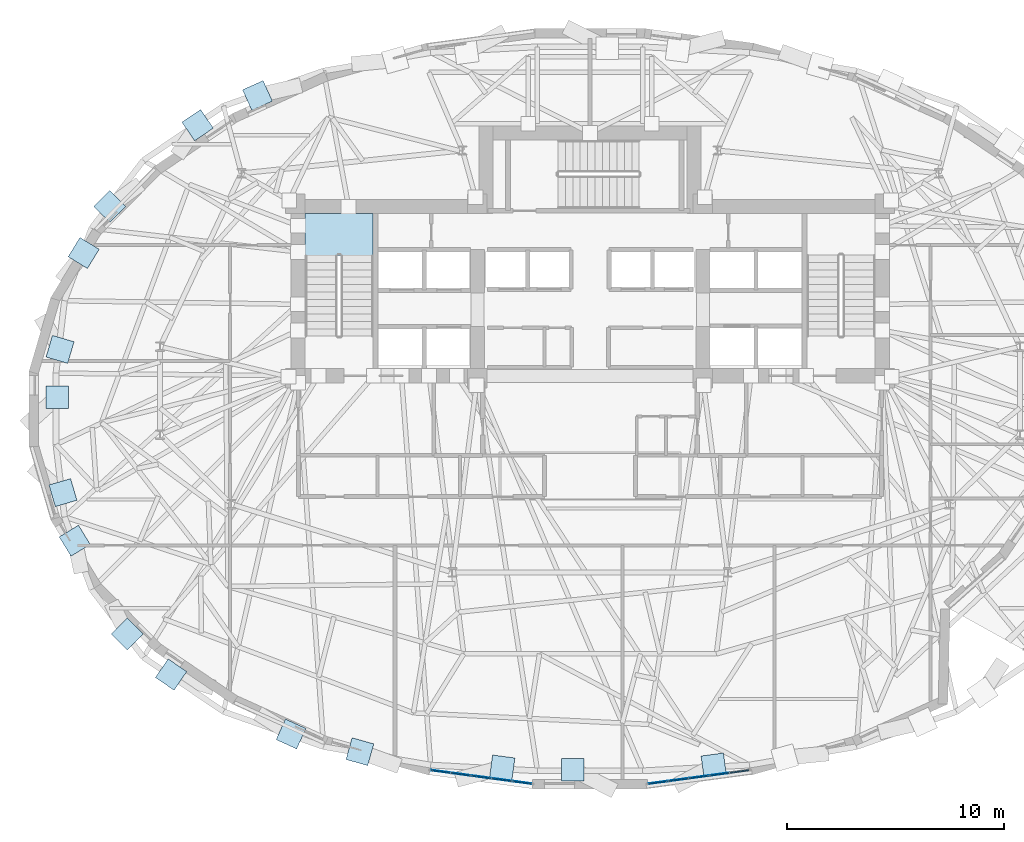
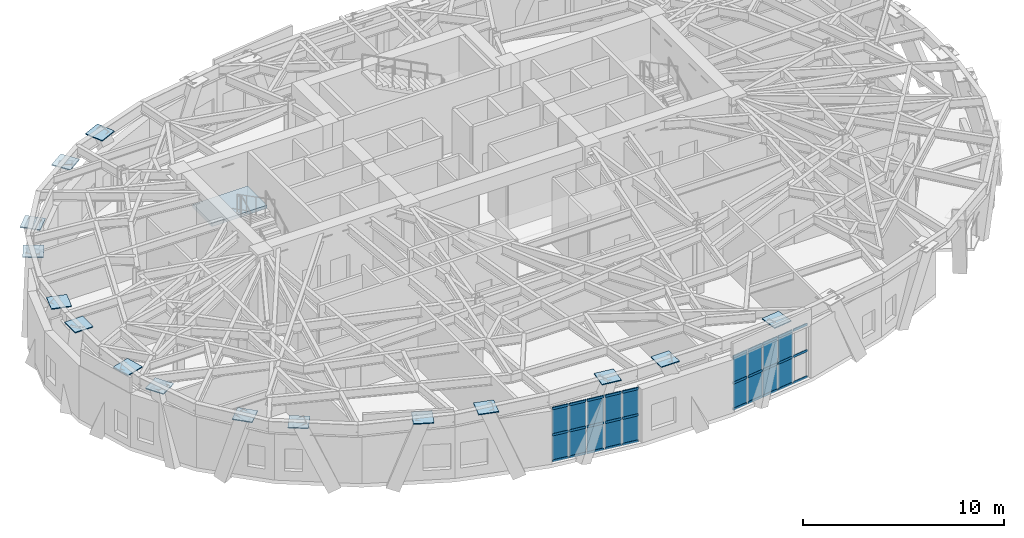
# One storey, part 6 of 16: 33 plates, 30 members, 1 slab, 3 elements without a shape of their own.
"""IFC4 building model written with IfcOpenShell, lengths in metres."""

import ifcopenshell
import ifcopenshell.guid

model = None  # the IFC model being written
_history = None  # IfcOwnerHistory: only IFC2X3 demands one
_inside = {}  # id of a spatial element -> (the spatial element, [elements in it])
_under = {}  # id of a project, library or spatial element -> (it, [spatial elements below it])
_declared = {}  # id of a project -> (the project, [libraries it declares])
_typed = {}  # id of a type object -> (the type object, [elements of that type])
_made_of = {}  # id of a material, layer set ... -> (it, [elements and type objects made of it])


def new_model(schema):
    """Start an empty IFC model of exactly this schema.

    Asked for "IFC4X3", IfcOpenShell would pick the latest addendum, in which some entities
    have other attributes; the version numbers below select the first issue.
    IFC2X3 requires an IfcOwnerHistory on every rooted entity: one is made here for all.
    """
    global model, _history
    if schema == "IFC4X3":
        model = ifcopenshell.file(schema_version=(4, 3, 0, 0))
    else:
        model = ifcopenshell.file(schema=schema)
    _inside.clear()
    _under.clear()
    _declared.clear()
    _typed.clear()
    _made_of.clear()
    _history = None
    if model.schema == "IFC2X3":
        org = make("IfcOrganization", Name="unknown")
        user = make(
            "IfcPersonAndOrganization",
            ThePerson=make("IfcPerson", FamilyName="unknown"),
            TheOrganization=org,
        )
        app = make(
            "IfcApplication",
            ApplicationDeveloper=org,
            Version="unknown",
            ApplicationFullName="unknown",
            ApplicationIdentifier="unknown",
        )
        _history = make(
            "IfcOwnerHistory",
            OwningUser=user,
            OwningApplication=app,
            ChangeAction="ADDED",
            CreationDate=0,
        )
    return model


def make(cls, **values):
    """One entity of the class cls with the attributes given. An attribute that is None is left unset."""
    return model.create_entity(
        cls, **{name: value for name, value in values.items() if value is not None}
    )


def rooted(cls, **values):
    """An entity with a GlobalId (a new one), such as an element, a storey or a relation."""
    return make(cls, GlobalId=ifcopenshell.guid.new(), OwnerHistory=_history, **values)


def si_unit(unit_type, name, prefix=None):
    """IfcSIUnit, for example si_unit("LENGTHUNIT", "METRE", prefix="MILLI")."""
    return make("IfcSIUnit", UnitType=unit_type, Prefix=prefix, Name=name)


def assignment(units):
    """IfcUnitAssignment: the units of a project."""
    return None if units is None else make("IfcUnitAssignment", Units=units)


def point(xyz):
    """IfcCartesianPoint."""
    return None if xyz is None else make("IfcCartesianPoint", Coordinates=xyz)


def direction(xyz):
    """IfcDirection."""
    return None if xyz is None else make("IfcDirection", DirectionRatios=xyz)


def frame(location, z_axis=None, x_axis=None):
    """IfcAxis2Placement3D, a coordinate frame: its origin and axes. An axis left out is left unset."""
    return make(
        "IfcAxis2Placement3D",
        Location=point(location),
        Axis=direction(z_axis),
        RefDirection=direction(x_axis),
    )


def frame_2d(location, x_axis=None):
    """IfcAxis2Placement2D, a coordinate frame in the plane: its origin and x axis."""
    return make(
        "IfcAxis2Placement2D", Location=point(location), RefDirection=direction(x_axis)
    )


def origin():
    """The frame at (0, 0, 0) with its axes left unset."""
    return frame((0.0, 0.0, 0.0))


def origin_2d():
    """The frame at (0, 0) in the plane with its x axis left unset."""
    return frame_2d((0.0, 0.0))


def place(relative_to, where):
    """IfcLocalPlacement: puts the frame where relative to a parent placement (None: the world)."""
    return make(
        "IfcLocalPlacement", PlacementRelTo=relative_to, RelativePlacement=where
    )


def context(
    kind, dimensions, precision=None, world=None, true_north=None, identifier=None
):
    """IfcGeometricRepresentationContext, for example the 3D "Model" context."""
    return make(
        "IfcGeometricRepresentationContext",
        ContextIdentifier=identifier,
        ContextType=kind,
        CoordinateSpaceDimension=dimensions,
        Precision=precision,
        WorldCoordinateSystem=world,
        TrueNorth=true_north,
    )


def subcontext(parent, identifier, kind, view, scale=None):
    """IfcGeometricRepresentationSubContext, for example "Body" below "Model"."""
    return make(
        "IfcGeometricRepresentationSubContext",
        ContextIdentifier=identifier,
        ContextType=kind,
        ParentContext=parent,
        TargetScale=scale,
        TargetView=view,
    )


def project(units=None, contexts=None):
    """IfcProject with its units and contexts."""
    return rooted(
        "IfcProject",
        Name="project",
        RepresentationContexts=contexts,
        UnitsInContext=assignment(units),
    )


def spatial(cls, under=None, at=None, **own):
    """A site, building, storey or space (cls), placed at a placement, below another one or the project."""
    s = rooted(cls, ObjectPlacement=at, **own)
    if under is not None:
        _under.setdefault(under.id(), (under, []))[1].append(s)
    return s


def polyline(points):
    """IfcPolyline through the points."""
    return make("IfcPolyline", Points=[point(p) for p in points])


def profile(cls, at=None, kind="AREA", **sizes):
    """A parametric profile (cls). Its sizes go by their IFC names, for example OverallWidth=200.0."""
    return make(cls, ProfileType=kind, Position=at, **sizes)


def rectangle(**sizes):
    """IfcRectangleProfileDef."""
    return profile("IfcRectangleProfileDef", **sizes)


def outline(outer, holes=None, kind="AREA"):
    """IfcArbitraryClosedProfileDef: a profile drawn as a closed curve; with holes, ...WithVoids."""
    if holes is None:
        return make("IfcArbitraryClosedProfileDef", ProfileType=kind, OuterCurve=outer)
    return make(
        "IfcArbitraryProfileDefWithVoids",
        ProfileType=kind,
        OuterCurve=outer,
        InnerCurves=holes,
    )


def extrude(swept, where, along, depth):
    """IfcExtrudedAreaSolid: the profile swept, set in the frame where, extruded along a direction by depth."""
    return make(
        "IfcExtrudedAreaSolid",
        SweptArea=swept,
        Position=where,
        ExtrudedDirection=direction(along),
        Depth=depth,
    )


def shape(context_of_items, identifier, shape_type, items):
    """IfcShapeRepresentation: the items that make up one representation, for example the "Body"."""
    return make(
        "IfcShapeRepresentation",
        ContextOfItems=context_of_items,
        RepresentationIdentifier=identifier,
        RepresentationType=shape_type,
        Items=items,
    )


def material(Name=None, Category=None):
    """IfcMaterial."""
    return make("IfcMaterial", Name=Name, Category=Category)


def layer(
    of_material, thickness, ventilated=None, Name=None, Category=None, Priority=None
):
    """IfcMaterialLayer: one layer of a wall or slab, of a material (None: an air gap)."""
    return make(
        "IfcMaterialLayer",
        Material=of_material,
        LayerThickness=thickness,
        IsVentilated=ventilated,
        Name=Name,
        Category=Category,
        Priority=Priority,
    )


def layer_set(layers, Name=None):
    """IfcMaterialLayerSet."""
    return make("IfcMaterialLayerSet", MaterialLayers=layers, LayerSetName=Name)


def material_profile(
    of_material, cross_section, Name=None, Category=None, Priority=None
):
    """IfcMaterialProfile: a cross section and its material."""
    return make(
        "IfcMaterialProfile",
        Name=Name,
        Material=of_material,
        Profile=cross_section,
        Priority=Priority,
        Category=Category,
    )


def profile_set(profiles, Name=None, composite=None):
    """IfcMaterialProfileSet."""
    return make(
        "IfcMaterialProfileSet",
        Name=Name,
        MaterialProfiles=profiles,
        CompositeProfile=composite,
    )


def made_of(thing, what):
    """Note that an element or type object is made of a material, layer set ...; save() writes the relation."""
    if what is not None:
        _made_of.setdefault(what.id(), (what, []))[1].append(thing)
    return thing


def type_object(cls, material=None, **own):
    """A type object (cls), such as IfcWallType, which elements share."""
    return made_of(rooted(cls, **own), material)


def element(
    cls,
    number,
    at=None,
    inside=None,
    cuts=None,
    type_object=None,
    material=None,
    context=None,
    identifier="Body",
    shape_type=None,
    held_by="IfcProductDefinitionShape",
    body=None,
    shapes=None,
    **own,
):
    """One element of the class cls, such as IfcWall. Its Tag is "e" and its number.

    at: its placement. inside: the storey or other place that contains it. cuts: it is an
    opening in that element (IfcRelVoidsElement). A single representation is given by context,
    identifier, shape_type and body (its items); several are given by shapes. held_by: the class
    of the entity that holds the representations. save() writes the other relations.
    """
    e = rooted(cls, Tag="e%d" % number, ObjectPlacement=at, **own)
    if body is not None:
        shapes = [shape(context, identifier, shape_type, body)]
    if shapes is not None:
        e.Representation = make(held_by, Representations=shapes)
    if inside is not None:
        _inside.setdefault(inside.id(), (inside, []))[1].append(e)
    if cuts is not None:
        rooted(
            "IfcRelVoidsElement", RelatingBuildingElement=cuts, RelatedOpeningElement=e
        )
    if type_object is not None:
        _typed.setdefault(type_object.id(), (type_object, []))[1].append(e)
    return made_of(e, material)


def aggregate(whole, parts):
    """IfcRelAggregates: a whole, such as a stair, and the parts it consists of."""
    return rooted("IfcRelAggregates", RelatingObject=whole, RelatedObjects=parts)


def save(model, path):
    """Write the relations noted so far, then the file.

    IfcRelAggregates (storeys below a building ...), IfcRelContainedInSpatialStructure (elements
    in a storey), IfcRelDefinesByType, IfcRelAssociatesMaterial and IfcRelDeclares: one each for
    every whole, place, type object, material and project.
    """
    for whole, parts in _under.values():
        aggregate(whole, parts)
    for where, things in _inside.values():
        rooted(
            "IfcRelContainedInSpatialStructure",
            RelatedElements=things,
            RelatingStructure=where,
        )
    for kind, things in _typed.values():
        rooted("IfcRelDefinesByType", RelatedObjects=things, RelatingType=kind)
    for what, things in _made_of.values():
        rooted("IfcRelAssociatesMaterial", RelatedObjects=things, RelatingMaterial=what)
    for by, libraries in _declared.values():
        rooted("IfcRelDeclares", RelatingContext=by, RelatedDefinitions=libraries)
    model.write(path)


model = new_model("IFC4")

# Units and contexts
model_context = context("Model", 3, precision=1e-05, world=origin(), true_north=direction((0.0, 1.0)))
body_context = subcontext(model_context, "Body", "Model", "MODEL_VIEW")
ifc_project = project(units=[si_unit("LENGTHUNIT", "METRE"), si_unit("AREAUNIT", "SQUARE_METRE"), si_unit("VOLUMEUNIT", "CUBIC_METRE"), si_unit("PLANEANGLEUNIT", "RADIAN"), si_unit("MASSUNIT", "GRAM", prefix="KILO")], contexts=[model_context])

# Site, building, storey
site_placement = place(None, origin())
site = spatial("IfcSite", under=ifc_project, at=site_placement, CompositionType="ELEMENT")
building_placement = place(site_placement, origin())
building = spatial("IfcBuilding", under=site, at=building_placement, Name="Keldmark Tower", CompositionType="ELEMENT")
storey_placement = place(building_placement, frame((0.0, 0.0, 139.60009765625)))
storey = spatial("IfcBuildingStorey", under=building, at=storey_placement, Name="L37", CompositionType="ELEMENT", Elevation=139.60009765625)

# Curtain wall, members
ifc_material_1 = material(Name="Unitized Thermally Broken Aluminum and Triple Low-E Glazing", Category="aluminium")
ifc_layer_1 = layer(ifc_material_1, 0.219970703125)
ifc_layer_set_1 = layer_set([ifc_layer_1], Name="Unitized Thermally Broken Aluminum and Triple Low-E Glazing")
curtain_wall_type = type_object("IfcCurtainWallType", Name="Sky Lobby Amenity Curtain Wall System", PredefinedType="NOTDEFINED", material=ifc_layer_set_1)
curtain_wall_1_placement = place(storey_placement, origin())
curtain_wall_1 = element("IfcCurtainWall", 1, at=curtain_wall_1_placement, inside=storey, type_object=curtain_wall_type, Name="L37 Sky Lobby Amenity Curtain Wall System CW-L37-23", PredefinedType="NOTDEFINED")
ifc_material_2 = material(Name="Extruded Aluminum Alloy 6063-T6", Category="aluminium")
ifc_material_profile = material_profile(ifc_material_2, rectangle(XDim=0.06005859375, YDim=0.139892578125, at=origin_2d()), Name="CWT60X140")
ifc_profile_set = profile_set([ifc_material_profile], Name="Extruded Aluminum Alloy 6063-T6")
member_type = type_object("IfcMemberType", Name="Curtain Wall Horizontal Transom 60x140", PredefinedType="USERDEFINED", material=ifc_profile_set)
member_1_placement = place(storey_placement, frame((-2.717041015625, -17.29052734375, 0.02978515625), z_axis=(-0.991044108783, 0.133534918454, 0.0), x_axis=(-0.133534918454, -0.991044108783, 0.0)))
member_1 = element("IfcMember", 2, at=member_1_placement, type_object=member_type, Name="CW transom 1.1", ObjectType="TRANSOM", PredefinedType="USERDEFINED", context=body_context, shape_type="SweptSolid", body=[
    extrude(rectangle(XDim=0.06005859375, YDim=0.139892578125, at=origin_2d()), origin(), (0.0, 0.0, 1.0), 0.863037109375),
])
member_2_placement = place(storey_placement, frame((-2.717041015625, -17.29052734375, 1.618896484375), z_axis=(-0.991044108783, 0.133534918454, 0.0), x_axis=(-0.133534918454, -0.991044108783, 0.0)))
member_2 = element("IfcMember", 3, at=member_2_placement, type_object=member_type, Name="CW transom 1.2", ObjectType="TRANSOM", PredefinedType="USERDEFINED", context=body_context, shape_type="SweptSolid", body=[
    extrude(rectangle(XDim=0.06005859375, YDim=0.139892578125, at=origin_2d()), origin(), (0.0, 0.0, 1.0), 0.863037109375),
])
member_3_placement = place(storey_placement, frame((-2.717041015625, -17.29052734375, 3.2080078125), z_axis=(-0.991044108783, 0.133534918454, 0.0), x_axis=(-0.133534918454, -0.991044108783, 0.0)))
member_3 = element("IfcMember", 4, at=member_3_placement, type_object=member_type, Name="CW transom 1.3", ObjectType="TRANSOM", PredefinedType="USERDEFINED", context=body_context, shape_type="SweptSolid", body=[
    extrude(rectangle(XDim=0.06005859375, YDim=0.139892578125, at=origin_2d()), origin(), (0.0, 0.0, 1.0), 0.863037109375),
])
member_4_placement = place(storey_placement, frame((-3.6318359375, -17.167236328125, 0.02978515625), z_axis=(-0.991018893884, 0.133721920284, 0.0), x_axis=(-0.133721920284, -0.991018893884, 0.0)))
member_4 = element("IfcMember", 5, at=member_4_placement, type_object=member_type, Name="CW transom 2.1", ObjectType="TRANSOM", PredefinedType="USERDEFINED", context=body_context, shape_type="SweptSolid", body=[
    extrude(rectangle(XDim=0.06005859375, YDim=0.139892578125, at=origin_2d()), origin(), (0.0, 0.0, 1.0), 0.892822265625),
])
member_5_placement = place(storey_placement, frame((-3.6318359375, -17.167236328125, 1.618896484375), z_axis=(-0.991018893884, 0.133721920284, 0.0), x_axis=(-0.133721920284, -0.991018893884, 0.0)))
member_5 = element("IfcMember", 6, at=member_5_placement, type_object=member_type, Name="CW transom 2.2", ObjectType="TRANSOM", PredefinedType="USERDEFINED", context=body_context, shape_type="SweptSolid", body=[
    extrude(rectangle(XDim=0.06005859375, YDim=0.139892578125, at=origin_2d()), origin(), (0.0, 0.0, 1.0), 0.892822265625),
])
member_6_placement = place(storey_placement, frame((-3.6318359375, -17.167236328125, 3.2080078125), z_axis=(-0.991018893884, 0.133721920284, 0.0), x_axis=(-0.133721920284, -0.991018893884, 0.0)))
member_6 = element("IfcMember", 7, at=member_6_placement, type_object=member_type, Name="CW transom 2.3", ObjectType="TRANSOM", PredefinedType="USERDEFINED", context=body_context, shape_type="SweptSolid", body=[
    extrude(rectangle(XDim=0.06005859375, YDim=0.139892578125, at=origin_2d()), origin(), (0.0, 0.0, 1.0), 0.892822265625),
])
member_7_placement = place(storey_placement, frame((-4.576171875, -17.039794921875, 0.02978515625), z_axis=(-0.991055097987, 0.133453335491, 0.0), x_axis=(-0.133453335491, -0.991055097987, 0.0)))
member_7 = element("IfcMember", 8, at=member_7_placement, type_object=member_type, Name="CW transom 3.1", ObjectType="TRANSOM", PredefinedType="USERDEFINED", context=body_context, shape_type="SweptSolid", body=[
    extrude(rectangle(XDim=0.06005859375, YDim=0.139892578125, at=origin_2d()), origin(), (0.0, 0.0, 1.0), 0.892822265625),
])
member_8_placement = place(storey_placement, frame((-4.576171875, -17.039794921875, 1.618896484375), z_axis=(-0.991055097987, 0.133453335491, 0.0), x_axis=(-0.133453335491, -0.991055097987, 0.0)))
member_8 = element("IfcMember", 9, at=member_8_placement, type_object=member_type, Name="CW transom 3.2", ObjectType="TRANSOM", PredefinedType="USERDEFINED", context=body_context, shape_type="SweptSolid", body=[
    extrude(rectangle(XDim=0.06005859375, YDim=0.139892578125, at=origin_2d()), origin(), (0.0, 0.0, 1.0), 0.892822265625),
])
member_9_placement = place(storey_placement, frame((-4.576171875, -17.039794921875, 3.2080078125), z_axis=(-0.991055097987, 0.133453335491, 0.0), x_axis=(-0.133453335491, -0.991055097987, 0.0)))
member_9 = element("IfcMember", 10, at=member_9_placement, type_object=member_type, Name="CW transom 3.3", ObjectType="TRANSOM", PredefinedType="USERDEFINED", context=body_context, shape_type="SweptSolid", body=[
    extrude(rectangle(XDim=0.06005859375, YDim=0.139892578125, at=origin_2d()), origin(), (0.0, 0.0, 1.0), 0.892822265625),
])
member_10_placement = place(storey_placement, frame((-5.5205078125, -16.91259765625, 0.02978515625), z_axis=(-0.991018893884, 0.133721920284, 0.0), x_axis=(-0.133721920284, -0.991018893884, 0.0)))
member_10 = element("IfcMember", 11, at=member_10_placement, type_object=member_type, Name="CW transom 4.1", ObjectType="TRANSOM", PredefinedType="USERDEFINED", context=body_context, shape_type="SweptSolid", body=[
    extrude(rectangle(XDim=0.06005859375, YDim=0.139892578125, at=origin_2d()), origin(), (0.0, 0.0, 1.0), 0.892822265625),
])
member_11_placement = place(storey_placement, frame((-5.5205078125, -16.91259765625, 1.618896484375), z_axis=(-0.991018893884, 0.133721920284, 0.0), x_axis=(-0.133721920284, -0.991018893884, 0.0)))
member_11 = element("IfcMember", 12, at=member_11_placement, type_object=member_type, Name="CW transom 4.2", ObjectType="TRANSOM", PredefinedType="USERDEFINED", context=body_context, shape_type="SweptSolid", body=[
    extrude(rectangle(XDim=0.06005859375, YDim=0.139892578125, at=origin_2d()), origin(), (0.0, 0.0, 1.0), 0.892822265625),
])
member_12_placement = place(storey_placement, frame((-5.5205078125, -16.91259765625, 3.2080078125), z_axis=(-0.991018893884, 0.133721920284, 0.0), x_axis=(-0.133721920284, -0.991018893884, 0.0)))
member_12 = element("IfcMember", 13, at=member_12_placement, type_object=member_type, Name="CW transom 4.3", ObjectType="TRANSOM", PredefinedType="USERDEFINED", context=body_context, shape_type="SweptSolid", body=[
    extrude(rectangle(XDim=0.06005859375, YDim=0.139892578125, at=origin_2d()), origin(), (0.0, 0.0, 1.0), 0.892822265625),
])
member_13_placement = place(storey_placement, frame((-6.464599609375, -16.785400390625, 0.02978515625), z_axis=(-0.991006630831, 0.133812770877, 0.0), x_axis=(-0.133812770877, -0.991006630831, 0.0)))
member_13 = element("IfcMember", 14, at=member_13_placement, type_object=member_type, Name="CW transom 5.1", ObjectType="TRANSOM", PredefinedType="USERDEFINED", context=body_context, shape_type="SweptSolid", body=[
    extrude(rectangle(XDim=0.06005859375, YDim=0.139892578125, at=origin_2d()), origin(), (0.0, 0.0, 1.0), 0.863037109375),
])
member_14_placement = place(storey_placement, frame((-6.464599609375, -16.785400390625, 1.618896484375), z_axis=(-0.991006630831, 0.133812770877, 0.0), x_axis=(-0.133812770877, -0.991006630831, 0.0)))
member_14 = element("IfcMember", 15, at=member_14_placement, type_object=member_type, Name="CW transom 5.2", ObjectType="TRANSOM", PredefinedType="USERDEFINED", context=body_context, shape_type="SweptSolid", body=[
    extrude(rectangle(XDim=0.06005859375, YDim=0.139892578125, at=origin_2d()), origin(), (0.0, 0.0, 1.0), 0.863037109375),
])
member_15_placement = place(storey_placement, frame((-6.464599609375, -16.785400390625, 3.2080078125), z_axis=(-0.991006630831, 0.133812770877, 0.0), x_axis=(-0.133812770877, -0.991006630831, 0.0)))
member_15 = element("IfcMember", 16, at=member_15_placement, type_object=member_type, Name="CW transom 5.3", ObjectType="TRANSOM", PredefinedType="USERDEFINED", context=body_context, shape_type="SweptSolid", body=[
    extrude(rectangle(XDim=0.06005859375, YDim=0.139892578125, at=origin_2d()), origin(), (0.0, 0.0, 1.0), 0.863037109375),
])

curtain_wall_2_placement = place(storey_placement, origin())
curtain_wall_2 = element("IfcCurtainWall", 17, at=curtain_wall_2_placement, inside=storey, type_object=curtain_wall_type, Name="L37 Sky Lobby Amenity Curtain Wall System CW-L37-25", PredefinedType="NOTDEFINED")
member_16_placement = place(storey_placement, frame((7.31982421875, -16.669921875, 0.02978515625), z_axis=(-0.991006630831, -0.133812770877, 0.0), x_axis=(0.133812770877, -0.991006630831, 0.0)))
member_16 = element("IfcMember", 18, at=member_16_placement, type_object=member_type, Name="CW transom 1.1", ObjectType="TRANSOM", PredefinedType="USERDEFINED", context=body_context, shape_type="SweptSolid", body=[
    extrude(rectangle(XDim=0.06005859375, YDim=0.139892578125, at=origin_2d()), origin(), (0.0, 0.0, 1.0), 0.863037109375),
])
member_17_placement = place(storey_placement, frame((7.31982421875, -16.669921875, 1.618896484375), z_axis=(-0.991006630831, -0.133812770877, 0.0), x_axis=(0.133812770877, -0.991006630831, 0.0)))
member_17 = element("IfcMember", 19, at=member_17_placement, type_object=member_type, Name="CW transom 1.2", ObjectType="TRANSOM", PredefinedType="USERDEFINED", context=body_context, shape_type="SweptSolid", body=[
    extrude(rectangle(XDim=0.06005859375, YDim=0.139892578125, at=origin_2d()), origin(), (0.0, 0.0, 1.0), 0.863037109375),
])
member_18_placement = place(storey_placement, frame((7.31982421875, -16.669921875, 3.2080078125), z_axis=(-0.991006630831, -0.133812770877, 0.0), x_axis=(0.133812770877, -0.991006630831, 0.0)))
member_18 = element("IfcMember", 20, at=member_18_placement, type_object=member_type, Name="CW transom 1.3", ObjectType="TRANSOM", PredefinedType="USERDEFINED", context=body_context, shape_type="SweptSolid", body=[
    extrude(rectangle(XDim=0.06005859375, YDim=0.139892578125, at=origin_2d()), origin(), (0.0, 0.0, 1.0), 0.863037109375),
])
member_19_placement = place(storey_placement, frame((6.4052734375, -16.793212890625, 0.02978515625), z_axis=(-0.991018893884, -0.133721920284, 0.0), x_axis=(0.133721920284, -0.991018893884, 0.0)))
member_19 = element("IfcMember", 21, at=member_19_placement, type_object=member_type, Name="CW transom 2.1", ObjectType="TRANSOM", PredefinedType="USERDEFINED", context=body_context, shape_type="SweptSolid", body=[
    extrude(rectangle(XDim=0.06005859375, YDim=0.139892578125, at=origin_2d()), origin(), (0.0, 0.0, 1.0), 0.892822265625),
])
member_20_placement = place(storey_placement, frame((6.4052734375, -16.793212890625, 1.618896484375), z_axis=(-0.991018893884, -0.133721920284, 0.0), x_axis=(0.133721920284, -0.991018893884, 0.0)))
member_20 = element("IfcMember", 22, at=member_20_placement, type_object=member_type, Name="CW transom 2.2", ObjectType="TRANSOM", PredefinedType="USERDEFINED", context=body_context, shape_type="SweptSolid", body=[
    extrude(rectangle(XDim=0.06005859375, YDim=0.139892578125, at=origin_2d()), origin(), (0.0, 0.0, 1.0), 0.892822265625),
])
member_21_placement = place(storey_placement, frame((6.4052734375, -16.793212890625, 3.2080078125), z_axis=(-0.991018893884, -0.133721920284, 0.0), x_axis=(0.133721920284, -0.991018893884, 0.0)))
member_21 = element("IfcMember", 23, at=member_21_placement, type_object=member_type, Name="CW transom 2.3", ObjectType="TRANSOM", PredefinedType="USERDEFINED", context=body_context, shape_type="SweptSolid", body=[
    extrude(rectangle(XDim=0.06005859375, YDim=0.139892578125, at=origin_2d()), origin(), (0.0, 0.0, 1.0), 0.892822265625),
])
member_22_placement = place(storey_placement, frame((5.4609375, -16.920654296875, 0.02978515625), z_axis=(-0.991055097987, -0.133453335491, 0.0), x_axis=(0.133453335491, -0.991055097987, 0.0)))
member_22 = element("IfcMember", 24, at=member_22_placement, type_object=member_type, Name="CW transom 3.1", ObjectType="TRANSOM", PredefinedType="USERDEFINED", context=body_context, shape_type="SweptSolid", body=[
    extrude(rectangle(XDim=0.06005859375, YDim=0.139892578125, at=origin_2d()), origin(), (0.0, 0.0, 1.0), 0.892822265625),
])
member_23_placement = place(storey_placement, frame((5.4609375, -16.920654296875, 1.618896484375), z_axis=(-0.991055097987, -0.133453335491, 0.0), x_axis=(0.133453335491, -0.991055097987, 0.0)))
member_23 = element("IfcMember", 25, at=member_23_placement, type_object=member_type, Name="CW transom 3.2", ObjectType="TRANSOM", PredefinedType="USERDEFINED", context=body_context, shape_type="SweptSolid", body=[
    extrude(rectangle(XDim=0.06005859375, YDim=0.139892578125, at=origin_2d()), origin(), (0.0, 0.0, 1.0), 0.892822265625),
])
member_24_placement = place(storey_placement, frame((5.4609375, -16.920654296875, 3.2080078125), z_axis=(-0.991055097987, -0.133453335491, 0.0), x_axis=(0.133453335491, -0.991055097987, 0.0)))
member_24 = element("IfcMember", 26, at=member_24_placement, type_object=member_type, Name="CW transom 3.3", ObjectType="TRANSOM", PredefinedType="USERDEFINED", context=body_context, shape_type="SweptSolid", body=[
    extrude(rectangle(XDim=0.06005859375, YDim=0.139892578125, at=origin_2d()), origin(), (0.0, 0.0, 1.0), 0.892822265625),
])
member_25_placement = place(storey_placement, frame((4.5166015625, -17.0478515625, 0.02978515625), z_axis=(-0.991018893884, -0.133721920284, 0.0), x_axis=(0.133721920284, -0.991018893884, 0.0)))
member_25 = element("IfcMember", 27, at=member_25_placement, type_object=member_type, Name="CW transom 4.1", ObjectType="TRANSOM", PredefinedType="USERDEFINED", context=body_context, shape_type="SweptSolid", body=[
    extrude(rectangle(XDim=0.06005859375, YDim=0.139892578125, at=origin_2d()), origin(), (0.0, 0.0, 1.0), 0.892822265625),
])
member_26_placement = place(storey_placement, frame((4.5166015625, -17.0478515625, 1.618896484375), z_axis=(-0.991018893884, -0.133721920284, 0.0), x_axis=(0.133721920284, -0.991018893884, 0.0)))
member_26 = element("IfcMember", 28, at=member_26_placement, type_object=member_type, Name="CW transom 4.2", ObjectType="TRANSOM", PredefinedType="USERDEFINED", context=body_context, shape_type="SweptSolid", body=[
    extrude(rectangle(XDim=0.06005859375, YDim=0.139892578125, at=origin_2d()), origin(), (0.0, 0.0, 1.0), 0.892822265625),
])
member_27_placement = place(storey_placement, frame((4.5166015625, -17.0478515625, 3.2080078125), z_axis=(-0.991018893884, -0.133721920284, 0.0), x_axis=(0.133721920284, -0.991018893884, 0.0)))
member_27 = element("IfcMember", 29, at=member_27_placement, type_object=member_type, Name="CW transom 4.3", ObjectType="TRANSOM", PredefinedType="USERDEFINED", context=body_context, shape_type="SweptSolid", body=[
    extrude(rectangle(XDim=0.06005859375, YDim=0.139892578125, at=origin_2d()), origin(), (0.0, 0.0, 1.0), 0.892822265625),
])
member_28_placement = place(storey_placement, frame((3.572265625, -17.17529296875, 0.02978515625), z_axis=(-0.991044108783, -0.133534918454, 0.0), x_axis=(0.133534918454, -0.991044108783, 0.0)))
member_28 = element("IfcMember", 30, at=member_28_placement, type_object=member_type, Name="CW transom 5.1", ObjectType="TRANSOM", PredefinedType="USERDEFINED", context=body_context, shape_type="SweptSolid", body=[
    extrude(rectangle(XDim=0.06005859375, YDim=0.139892578125, at=origin_2d()), origin(), (0.0, 0.0, 1.0), 0.863037109375),
])
member_29_placement = place(storey_placement, frame((3.572265625, -17.17529296875, 1.618896484375), z_axis=(-0.991044108783, -0.133534918454, 0.0), x_axis=(0.133534918454, -0.991044108783, 0.0)))
member_29 = element("IfcMember", 31, at=member_29_placement, type_object=member_type, Name="CW transom 5.2", ObjectType="TRANSOM", PredefinedType="USERDEFINED", context=body_context, shape_type="SweptSolid", body=[
    extrude(rectangle(XDim=0.06005859375, YDim=0.139892578125, at=origin_2d()), origin(), (0.0, 0.0, 1.0), 0.863037109375),
])
member_30_placement = place(storey_placement, frame((3.572265625, -17.17529296875, 3.2080078125), z_axis=(-0.991044108783, -0.133534918454, 0.0), x_axis=(0.133534918454, -0.991044108783, 0.0)))
member_30 = element("IfcMember", 32, at=member_30_placement, type_object=member_type, Name="CW transom 5.3", ObjectType="TRANSOM", PredefinedType="USERDEFINED", context=body_context, shape_type="SweptSolid", body=[
    extrude(rectangle(XDim=0.06005859375, YDim=0.139892578125, at=origin_2d()), origin(), (0.0, 0.0, 1.0), 0.863037109375),
])

# Plates
ifc_material_3 = material(Name="Steel ASTM A572 Grade 50", Category="steel")
ifc_layer_2 = layer(ifc_material_3, 0.054931640625)
ifc_layer_set_2 = layer_set([ifc_layer_2], Name="Steel ASTM A572 Grade 50")
plate_type_1 = type_object("IfcPlateType", Name="Diagrid Node Assembly DN03 55 mm", PredefinedType="USERDEFINED", material=ifc_layer_set_2)
for number, where, z_axis, x_axis, name in (
    (33, (-15.3388671875, 14.45068359375, 3.87255859375), (0.0, 0.0, 1.0), (-0.910971840153, -0.412468552072, 0.0), "L37 Diagrid Node Assembly 11"),
    (34, (-18.099365234375, 13.082275390625, 3.87255859375), (0.0, 0.0, 1.0), (-0.827864584251, -0.560928007986, 0.0), "L37 Diagrid Node Assembly 12"),
    (35, (-22.148193359375, 9.3349609375, 3.87255859375), (0.0, 0.0, 1.0), (-0.702153052995, -0.712026045991, 0.0), "L37 Diagrid Node Assembly 13"),
    (36, (-23.3544921875, 7.186279296875, 3.87255859375), (0.0, 0.0, 1.0), (-0.521456478554, -0.85327788028, 0.0), "L37 Diagrid Node Assembly 14"),
    (37, (-24.443359375, 2.740234375, 3.87255859375), (0.0, 0.0, 1.0), (-0.281671660596, -0.959510852267, 0.0), "L37 Diagrid Node Assembly 15"),
    (38, (-24.57177734375, 0.542236328125, 3.87255859375), (0.0, 0.0, 1.0), (0.0, -1.0, 0.0), "L37 Diagrid Node Assembly 16"),
    (39, (-24.310302734375, -3.864990234375, 3.87255859375), (0.0, 0.0, 1.0), (0.281671660596, -0.959510852267, 0.0), "L37 Diagrid Node Assembly 17"),
    (40, (-23.76611328125, -6.081787109375, 3.87255859375), (0.0, 0.0, 1.0), (0.521456478554, -0.85327788028, 0.0), "L37 Diagrid Node Assembly 18"),
    (41, (-21.344482421875, -10.387939453125, 3.87255859375), (0.0, 0.0, 1.0), (0.702153052995, -0.712026045991, 0.0), "L37 Diagrid Node Assembly 19"),
    (42, (-19.322509765625, -12.255859375, 3.87255859375), (0.0, 0.0, 1.0), (0.827864584251, -0.560928007986, 0.0), "L37 Diagrid Node Assembly 20"),
    (43, (-13.790283203125, -14.99755859375, 3.87255859375), (0.0, 0.0, 1.0), (0.910971840153, -0.412468552072, 0.0), "L37 Diagrid Node Assembly 21"),
    (44, (-10.615478515625, -15.813232421875, 3.87255859375), (0.0, 0.0, 1.0), (0.962786145149, -0.270264386684, 0.0), "L37 Diagrid Node Assembly 22"),
    (45, (-4.05078125, -16.5498046875, 3.87255859375), (0.0, 0.0, 1.0), (0.991029909341, -0.133640258869, 0.0), "L37 Diagrid Node Assembly 23"),
    (46, (-0.802734375, -16.635986328125, 3.87255859375), (0.0, 0.0, 1.0), (1.0, 0.0, 0.0), "L37 Diagrid Node Assembly 24"),
    (47, (5.70458984375, -16.458984375, 3.87255859375), (0.0, 0.0, 1.0), (0.991029909341, 0.133640258869, 0.0), "L37 Diagrid Node Assembly 25"),
):
    element("IfcPlate", number, at=place(storey_placement, frame(where, z_axis=z_axis, x_axis=x_axis)), inside=storey, type_object=plate_type_1, Name=name, ObjectType="GUSSET", PredefinedType="USERDEFINED", context=body_context, shape_type="SweptSolid", body=[
        extrude(rectangle(XDim=1.0400390625, YDim=1.0400390625, at=origin_2d()), origin(), (0.0, 0.0, 1.0), 0.054931640625),
    ])

# Stair, slab
ifc_material_4 = material(Name="Concrete C40/50", Category="concrete")
stair_type = type_object("IfcStairType", Name="Precast Concrete Core Exit Stair", PredefinedType="HALF_TURN_STAIR", material=ifc_material_4)
stair_placement = place(storey_placement, origin())
stair = element("IfcStair", 48, at=stair_placement, inside=storey, type_object=stair_type, Name="L37 Exit Stair ST1", PredefinedType="HALF_TURN_STAIR")
ifc_material_5 = material(Name="Concrete C40/50", Category="concrete")
ifc_layer_3 = layer(ifc_material_5, 0.199951171875)
ifc_layer_set_3 = layer_set([ifc_layer_3], Name="Concrete C40/50")
slab_type = type_object("IfcSlabType", Name="Reinforced Concrete Stair Landing 200 mm", PredefinedType="LANDING", material=ifc_layer_set_3)
slab_placement = place(storey_placement, frame((0.0, 0.0, 1.89990234375)))
slab = element("IfcSlab", 49, at=slab_placement, type_object=slab_type, Name="ST1 landing 1", PredefinedType="LANDING", context=body_context, shape_type="SweptSolid", body=[
    extrude(outline(polyline([(-10.0, 7.070068359375), (-10.0, 9.0), (-13.14990234375, 9.0), (-13.14990234375, 7.070068359375), (-10.0, 7.070068359375)])), origin(), (0.0, 0.0, 1.0), 0.199951171875),
])
aggregate(stair, [slab])

# Plate
ifc_material_6 = material(Name="Triple Silver Low-E Insulated Glass Unit", Category="glass")
ifc_layer_4 = layer(ifc_material_6, 0.035888671875)
ifc_layer_set_4 = layer_set([ifc_layer_4], Name="Triple Silver Low-E Insulated Glass Unit")
plate_type_2 = type_object("IfcPlateType", Name="Triple Low-E Vision Glazing Panel 36 mm", PredefinedType="CURTAIN_PANEL", material=ifc_layer_set_4)
plate_1_placement = place(storey_placement, frame((-3.144775390625, -17.23291015625, 0.06005859375), z_axis=(0.0, 0.0, 1.0), x_axis=(-0.991035667397, 0.133597552172, 0.0)))
plate_1 = element("IfcPlate", 50, at=plate_1_placement, type_object=plate_type_2, Name="CW panel 1.1", PredefinedType="CURTAIN_PANEL", context=body_context, shape_type="SweptSolid", body=[
    extrude(rectangle(XDim=0.86279296875, YDim=0.035888671875, at=origin_2d()), origin(), (0.0, 0.0, 1.0), 1.529052734375),
])

plate_2_placement = place(storey_placement, frame((-3.144775390625, -17.23291015625, 1.64892578125), z_axis=(0.0, 0.0, 1.0), x_axis=(-0.991035667397, 0.133597552172, 0.0)))
plate_2 = element("IfcPlate", 51, at=plate_2_placement, type_object=plate_type_2, Name="CW panel 1.2", PredefinedType="CURTAIN_PANEL", context=body_context, shape_type="SweptSolid", body=[
    extrude(rectangle(XDim=0.86279296875, YDim=0.035888671875, at=origin_2d()), origin(), (0.0, 0.0, 1.0), 1.529052734375),
])

plate_3_placement = place(storey_placement, frame((-4.07421875, -17.107666015625, 0.06005859375), z_axis=(0.0, 0.0, 1.0), x_axis=(-0.991035667397, 0.133597552172, 0.0)))
plate_3 = element("IfcPlate", 52, at=plate_3_placement, type_object=plate_type_2, Name="CW panel 2.1", PredefinedType="CURTAIN_PANEL", context=body_context, shape_type="SweptSolid", body=[
    extrude(rectangle(XDim=0.892822265625, YDim=0.035888671875, at=origin_2d()), origin(), (0.0, 0.0, 1.0), 1.529052734375),
])

plate_4_placement = place(storey_placement, frame((-4.07421875, -17.107666015625, 1.64892578125), z_axis=(0.0, 0.0, 1.0), x_axis=(-0.991035667397, 0.133597552172, 0.0)))
plate_4 = element("IfcPlate", 53, at=plate_4_placement, type_object=plate_type_2, Name="CW panel 2.2", PredefinedType="CURTAIN_PANEL", context=body_context, shape_type="SweptSolid", body=[
    extrude(rectangle(XDim=0.892822265625, YDim=0.035888671875, at=origin_2d()), origin(), (0.0, 0.0, 1.0), 1.529052734375),
])

plate_5_placement = place(storey_placement, frame((-5.0185546875, -16.980224609375, 0.06005859375), z_axis=(0.0, 0.0, 1.0), x_axis=(-0.991035667397, 0.133597552172, 0.0)))
plate_5 = element("IfcPlate", 54, at=plate_5_placement, type_object=plate_type_2, Name="CW panel 3.1", PredefinedType="CURTAIN_PANEL", context=body_context, shape_type="SweptSolid", body=[
    extrude(rectangle(XDim=0.892822265625, YDim=0.035888671875, at=origin_2d()), origin(), (0.0, 0.0, 1.0), 1.529052734375),
])

plate_6_placement = place(storey_placement, frame((-5.0185546875, -16.980224609375, 1.64892578125), z_axis=(0.0, 0.0, 1.0), x_axis=(-0.991035667397, 0.133597552172, 0.0)))
plate_6 = element("IfcPlate", 55, at=plate_6_placement, type_object=plate_type_2, Name="CW panel 3.2", PredefinedType="CURTAIN_PANEL", context=body_context, shape_type="SweptSolid", body=[
    extrude(rectangle(XDim=0.892822265625, YDim=0.035888671875, at=origin_2d()), origin(), (0.0, 0.0, 1.0), 1.529052734375),
])

plate_7_placement = place(storey_placement, frame((-5.962890625, -16.85302734375, 0.06005859375), z_axis=(0.0, 0.0, 1.0), x_axis=(-0.991035667397, 0.133597552172, 0.0)))
plate_7 = element("IfcPlate", 56, at=plate_7_placement, type_object=plate_type_2, Name="CW panel 4.1", PredefinedType="CURTAIN_PANEL", context=body_context, shape_type="SweptSolid", body=[
    extrude(rectangle(XDim=0.892822265625, YDim=0.035888671875, at=origin_2d()), origin(), (0.0, 0.0, 1.0), 1.529052734375),
])

plate_8_placement = place(storey_placement, frame((-5.962890625, -16.85302734375, 1.64892578125), z_axis=(0.0, 0.0, 1.0), x_axis=(-0.991035667397, 0.133597552172, 0.0)))
plate_8 = element("IfcPlate", 57, at=plate_8_placement, type_object=plate_type_2, Name="CW panel 4.2", PredefinedType="CURTAIN_PANEL", context=body_context, shape_type="SweptSolid", body=[
    extrude(rectangle(XDim=0.892822265625, YDim=0.035888671875, at=origin_2d()), origin(), (0.0, 0.0, 1.0), 1.529052734375),
])

plate_9_placement = place(storey_placement, frame((-6.892333984375, -16.7275390625, 0.06005859375), z_axis=(0.0, 0.0, 1.0), x_axis=(-0.991035667397, 0.133597552172, 0.0)))
plate_9 = element("IfcPlate", 58, at=plate_9_placement, type_object=plate_type_2, Name="CW panel 5.1", PredefinedType="CURTAIN_PANEL", context=body_context, shape_type="SweptSolid", body=[
    extrude(rectangle(XDim=0.86279296875, YDim=0.035888671875, at=origin_2d()), origin(), (0.0, 0.0, 1.0), 1.529052734375),
])

plate_10_placement = place(storey_placement, frame((-6.892333984375, -16.7275390625, 1.64892578125), z_axis=(0.0, 0.0, 1.0), x_axis=(-0.991035667397, 0.133597552172, 0.0)))
plate_10 = element("IfcPlate", 59, at=plate_10_placement, type_object=plate_type_2, Name="CW panel 5.2", PredefinedType="CURTAIN_PANEL", context=body_context, shape_type="SweptSolid", body=[
    extrude(rectangle(XDim=0.86279296875, YDim=0.035888671875, at=origin_2d()), origin(), (0.0, 0.0, 1.0), 1.529052734375),
])

aggregate(curtain_wall_1, [member_1, member_2, member_3, plate_1, plate_2, member_4, member_5, member_6, plate_3, plate_4, member_7, member_8, member_9, plate_5, plate_6, member_10, member_11, member_12, plate_7, plate_8, member_13, member_14, member_15, plate_9, plate_10])

plate_11_placement = place(storey_placement, frame((5.962890625, -16.85302734375, 0.06005859375), z_axis=(0.0, 0.0, 1.0), x_axis=(-0.991035667397, -0.133597552172, 0.0)))
plate_11 = element("IfcPlate", 60, at=plate_11_placement, type_object=plate_type_2, Name="CW panel 2.1", PredefinedType="CURTAIN_PANEL", context=body_context, shape_type="SweptSolid", body=[
    extrude(rectangle(XDim=0.892822265625, YDim=0.035888671875, at=origin_2d()), origin(), (0.0, 0.0, 1.0), 1.529052734375),
])

plate_12_placement = place(storey_placement, frame((5.962890625, -16.85302734375, 1.64892578125), z_axis=(0.0, 0.0, 1.0), x_axis=(-0.991035667397, -0.133597552172, 0.0)))
plate_12 = element("IfcPlate", 61, at=plate_12_placement, type_object=plate_type_2, Name="CW panel 2.2", PredefinedType="CURTAIN_PANEL", context=body_context, shape_type="SweptSolid", body=[
    extrude(rectangle(XDim=0.892822265625, YDim=0.035888671875, at=origin_2d()), origin(), (0.0, 0.0, 1.0), 1.529052734375),
])

plate_13_placement = place(storey_placement, frame((5.0185546875, -16.980224609375, 0.06005859375), z_axis=(0.0, 0.0, 1.0), x_axis=(-0.991035667397, -0.133597552172, 0.0)))
plate_13 = element("IfcPlate", 62, at=plate_13_placement, type_object=plate_type_2, Name="CW panel 3.1", PredefinedType="CURTAIN_PANEL", context=body_context, shape_type="SweptSolid", body=[
    extrude(rectangle(XDim=0.892822265625, YDim=0.035888671875, at=origin_2d()), origin(), (0.0, 0.0, 1.0), 1.529052734375),
])

plate_14_placement = place(storey_placement, frame((5.0185546875, -16.980224609375, 1.64892578125), z_axis=(0.0, 0.0, 1.0), x_axis=(-0.991035667397, -0.133597552172, 0.0)))
plate_14 = element("IfcPlate", 63, at=plate_14_placement, type_object=plate_type_2, Name="CW panel 3.2", PredefinedType="CURTAIN_PANEL", context=body_context, shape_type="SweptSolid", body=[
    extrude(rectangle(XDim=0.892822265625, YDim=0.035888671875, at=origin_2d()), origin(), (0.0, 0.0, 1.0), 1.529052734375),
])

plate_15_placement = place(storey_placement, frame((4.07421875, -17.107666015625, 0.06005859375), z_axis=(0.0, 0.0, 1.0), x_axis=(-0.991035667397, -0.133597552172, 0.0)))
plate_15 = element("IfcPlate", 64, at=plate_15_placement, type_object=plate_type_2, Name="CW panel 4.1", PredefinedType="CURTAIN_PANEL", context=body_context, shape_type="SweptSolid", body=[
    extrude(rectangle(XDim=0.892822265625, YDim=0.035888671875, at=origin_2d()), origin(), (0.0, 0.0, 1.0), 1.529052734375),
])

plate_16_placement = place(storey_placement, frame((4.07421875, -17.107666015625, 1.64892578125), z_axis=(0.0, 0.0, 1.0), x_axis=(-0.991035667397, -0.133597552172, 0.0)))
plate_16 = element("IfcPlate", 65, at=plate_16_placement, type_object=plate_type_2, Name="CW panel 4.2", PredefinedType="CURTAIN_PANEL", context=body_context, shape_type="SweptSolid", body=[
    extrude(rectangle(XDim=0.892822265625, YDim=0.035888671875, at=origin_2d()), origin(), (0.0, 0.0, 1.0), 1.529052734375),
])

plate_17_placement = place(storey_placement, frame((3.144775390625, -17.23291015625, 0.06005859375), z_axis=(0.0, 0.0, 1.0), x_axis=(-0.991035667397, -0.133597552172, 0.0)))
plate_17 = element("IfcPlate", 66, at=plate_17_placement, type_object=plate_type_2, Name="CW panel 5.1", PredefinedType="CURTAIN_PANEL", context=body_context, shape_type="SweptSolid", body=[
    extrude(rectangle(XDim=0.86279296875, YDim=0.035888671875, at=origin_2d()), origin(), (0.0, 0.0, 1.0), 1.529052734375),
])

plate_18_placement = place(storey_placement, frame((3.144775390625, -17.23291015625, 1.64892578125), z_axis=(0.0, 0.0, 1.0), x_axis=(-0.991035667397, -0.133597552172, 0.0)))
plate_18 = element("IfcPlate", 67, at=plate_18_placement, type_object=plate_type_2, Name="CW panel 5.2", PredefinedType="CURTAIN_PANEL", context=body_context, shape_type="SweptSolid", body=[
    extrude(rectangle(XDim=0.86279296875, YDim=0.035888671875, at=origin_2d()), origin(), (0.0, 0.0, 1.0), 1.529052734375),
])

aggregate(curtain_wall_2, [member_16, member_17, member_18, member_19, member_20, member_21, plate_11, plate_12, member_22, member_23, member_24, plate_13, plate_14, member_25, member_26, member_27, plate_15, plate_16, member_28, member_29, member_30, plate_17, plate_18])

save(model, "model.ifc")
